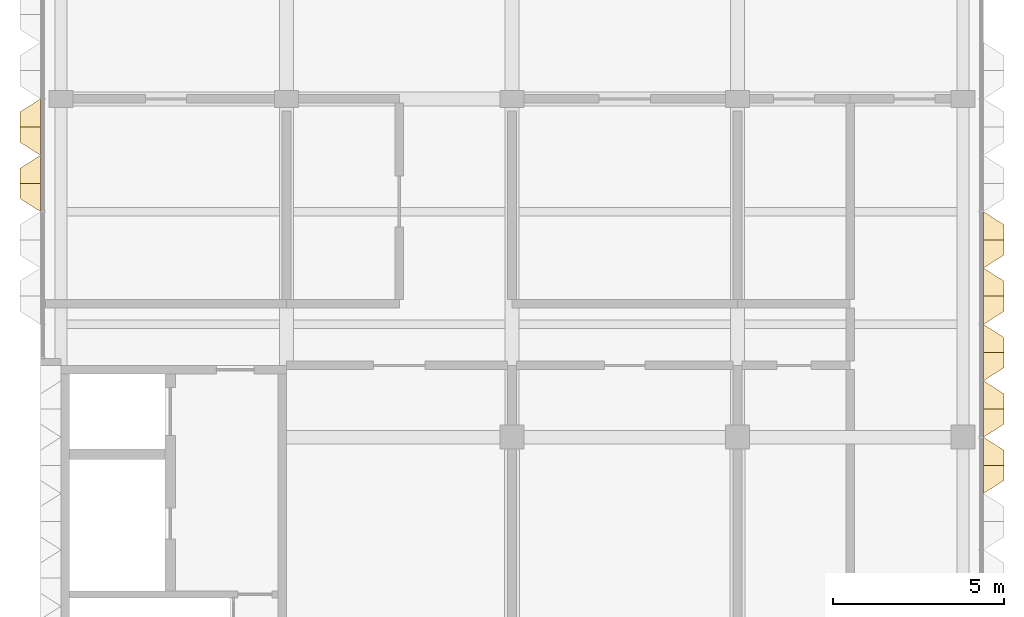
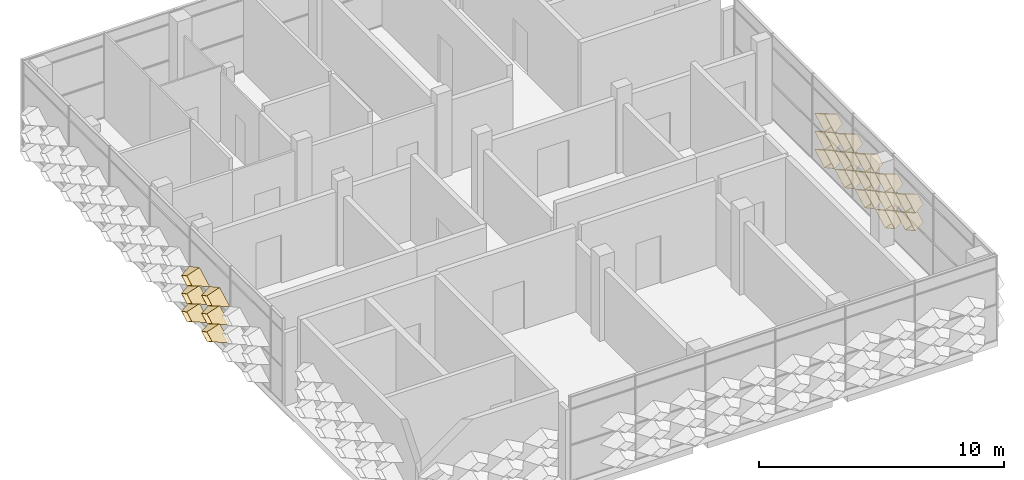
# One storey, part 15 of 21: 20 coverings.
"""IFC4 building model written with IfcOpenShell, lengths in metres."""

from ifc_helpers import new_model, entity, si_unit, direction, frame, origin, place, context, subcontext, project, spatial, material, layer, layer_set, type_object, element, save


model = new_model("IFC4")

# Units and contexts
model_context = context("Model", 3, precision=1e-05, world=origin(), true_north=direction((0.0, 1.0)))
body_context = subcontext(model_context, "Body", "Model", "MODEL_VIEW")
ifc_project = project(units=[si_unit("LENGTHUNIT", "METRE"), si_unit("AREAUNIT", "SQUARE_METRE"), si_unit("VOLUMEUNIT", "CUBIC_METRE"), si_unit("PLANEANGLEUNIT", "RADIAN"), si_unit("MASSUNIT", "GRAM", prefix="KILO")], contexts=[model_context])

# Site, building, storey
site_placement = place(None, origin())
site = spatial("IfcSite", under=ifc_project, at=site_placement, CompositionType="ELEMENT")
building_placement = place(site_placement, origin())
building = spatial("IfcBuilding", under=site, at=building_placement, Name="Lantern Court Research Institute", CompositionType="ELEMENT")
storey_placement = place(building_placement, frame((0.0, 0.0, 41.39990234375)))
storey = spatial("IfcBuildingStorey", under=building, at=storey_placement, Name="L09", CompositionType="ELEMENT", Elevation=41.39990234375)

# Coverings
ifc_material = material(Name="Anodised aluminium", Category="aluminium")
ifc_layer = layer(ifc_material, 0.01611328125)
ifc_layer_set = layer_set([ifc_layer], Name="Anodised aluminium")
covering_type = type_object("IfcCoveringType", Name="Fin cassette 1650 x 900 x 600 aluminium", PredefinedType="CLADDING", material=ifc_layer_set)
covering_1_placement = place(storey_placement, frame((79.800048828125, 0.824951171875, 0.4501953125), z_axis=(1.0, 0.0, 0.0), x_axis=(0.0, 1.0, 0.0)))
cartesian_point_1 = entity("IfcCartesianPoint", [0.824951171875, 0.0])
cartesian_point_2 = entity("IfcCartesianPoint", [0.79150390625, 0.0])
cartesian_point_3 = entity("IfcCartesianPoint", [0.44189453125, 0.0])
cartesian_point_4 = entity("IfcCartesianPoint", [0.43359375, 0.0])
element("IfcCovering", 1, at=covering_1_placement, inside=storey, type_object=covering_type, Name="Fin cassette V5E-L09 1.1", PredefinedType="CLADDING", context=body_context, shape_type="SweptSolid", body=[
    entity("IfcExtrudedAreaSolidTapered", entity("IfcArbitraryProfileDefWithVoids", "AREA", None, entity("IfcPolyline", [cartesian_point_1, entity("IfcCartesianPoint", [0.0, 0.449951171875]), entity("IfcCartesianPoint", [-0.824951171875, 0.0]), entity("IfcCartesianPoint", [0.0, -0.449951171875]), cartesian_point_1]), [entity("IfcPolyline", [cartesian_point_2, entity("IfcCartesianPoint", [0.0, 0.431884765625]), entity("IfcCartesianPoint", [-0.79150390625, 0.0]), entity("IfcCartesianPoint", [0.0, -0.431884765625]), cartesian_point_2])]), entity("IfcAxis2Placement3D", entity("IfcCartesianPoint", [0.0, 0.0, 0.0])), entity("IfcDirection", [0.0, 0.0, 1.0]), 0.60009765625, entity("IfcArbitraryProfileDefWithVoids", "AREA", None, entity("IfcPolyline", [cartesian_point_3, entity("IfcCartesianPoint", [0.0, 0.240966796875]), entity("IfcCartesianPoint", [-0.44189453125, 0.0]), entity("IfcCartesianPoint", [0.0, -0.240966796875]), cartesian_point_3]), [entity("IfcPolyline", [cartesian_point_4, entity("IfcCartesianPoint", [0.0, 0.236572265625]), entity("IfcCartesianPoint", [-0.43359375, 0.0]), entity("IfcCartesianPoint", [0.0, -0.236572265625]), cartesian_point_4])])),
])
covering_2_placement = place(storey_placement, frame((79.800048828125, 2.47509765625, 0.4501953125), z_axis=(1.0, 0.0, 0.0), x_axis=(0.0, 1.0, 0.0)))
cartesian_point_5 = entity("IfcCartesianPoint", [0.824951171875, 0.0])
cartesian_point_6 = entity("IfcCartesianPoint", [0.79150390625, 0.0])
cartesian_point_7 = entity("IfcCartesianPoint", [0.44189453125, 0.0])
cartesian_point_8 = entity("IfcCartesianPoint", [0.43359375, 0.0])
element("IfcCovering", 2, at=covering_2_placement, inside=storey, type_object=covering_type, Name="Fin cassette V5E-L09 1.2", PredefinedType="CLADDING", context=body_context, shape_type="SweptSolid", body=[
    entity("IfcExtrudedAreaSolidTapered", entity("IfcArbitraryProfileDefWithVoids", "AREA", None, entity("IfcPolyline", [cartesian_point_5, entity("IfcCartesianPoint", [0.0, 0.449951171875]), entity("IfcCartesianPoint", [-0.824951171875, 0.0]), entity("IfcCartesianPoint", [0.0, -0.449951171875]), cartesian_point_5]), [entity("IfcPolyline", [cartesian_point_6, entity("IfcCartesianPoint", [0.0, 0.431884765625]), entity("IfcCartesianPoint", [-0.79150390625, 0.0]), entity("IfcCartesianPoint", [0.0, -0.431884765625]), cartesian_point_6])]), entity("IfcAxis2Placement3D", entity("IfcCartesianPoint", [0.0, 0.0, 0.0])), entity("IfcDirection", [0.0, 0.0, 1.0]), 0.60009765625, entity("IfcArbitraryProfileDefWithVoids", "AREA", None, entity("IfcPolyline", [cartesian_point_7, entity("IfcCartesianPoint", [0.0, 0.240966796875]), entity("IfcCartesianPoint", [-0.44189453125, 0.0]), entity("IfcCartesianPoint", [0.0, -0.240966796875]), cartesian_point_7]), [entity("IfcPolyline", [cartesian_point_8, entity("IfcCartesianPoint", [0.0, 0.236572265625]), entity("IfcCartesianPoint", [-0.43359375, 0.0]), entity("IfcCartesianPoint", [0.0, -0.236572265625]), cartesian_point_8])])),
])
covering_3_placement = place(storey_placement, frame((79.800048828125, 4.125, 0.4501953125), z_axis=(1.0, 0.0, 0.0), x_axis=(0.0, 1.0, 0.0)))
cartesian_point_9 = entity("IfcCartesianPoint", [0.824951171875, 0.0])
cartesian_point_10 = entity("IfcCartesianPoint", [0.79150390625, 0.0])
cartesian_point_11 = entity("IfcCartesianPoint", [0.44189453125, 0.0])
cartesian_point_12 = entity("IfcCartesianPoint", [0.43359375, 0.0])
element("IfcCovering", 3, at=covering_3_placement, inside=storey, type_object=covering_type, Name="Fin cassette V5E-L09 1.3", PredefinedType="CLADDING", context=body_context, shape_type="SweptSolid", body=[
    entity("IfcExtrudedAreaSolidTapered", entity("IfcArbitraryProfileDefWithVoids", "AREA", None, entity("IfcPolyline", [cartesian_point_9, entity("IfcCartesianPoint", [0.0, 0.449951171875]), entity("IfcCartesianPoint", [-0.824951171875, 0.0]), entity("IfcCartesianPoint", [0.0, -0.449951171875]), cartesian_point_9]), [entity("IfcPolyline", [cartesian_point_10, entity("IfcCartesianPoint", [0.0, 0.431884765625]), entity("IfcCartesianPoint", [-0.79150390625, 0.0]), entity("IfcCartesianPoint", [0.0, -0.431884765625]), cartesian_point_10])]), entity("IfcAxis2Placement3D", entity("IfcCartesianPoint", [0.0, 0.0, 0.0])), entity("IfcDirection", [0.0, 0.0, 1.0]), 0.60009765625, entity("IfcArbitraryProfileDefWithVoids", "AREA", None, entity("IfcPolyline", [cartesian_point_11, entity("IfcCartesianPoint", [0.0, 0.240966796875]), entity("IfcCartesianPoint", [-0.44189453125, 0.0]), entity("IfcCartesianPoint", [0.0, -0.240966796875]), cartesian_point_11]), [entity("IfcPolyline", [cartesian_point_12, entity("IfcCartesianPoint", [0.0, 0.236572265625]), entity("IfcCartesianPoint", [-0.43359375, 0.0]), entity("IfcCartesianPoint", [0.0, -0.236572265625]), cartesian_point_12])])),
])
covering_4_placement = place(storey_placement, frame((79.800048828125, 5.77490234375, 0.4501953125), z_axis=(1.0, 0.0, 0.0), x_axis=(0.0, 1.0, 0.0)))
cartesian_point_13 = entity("IfcCartesianPoint", [0.824951171875, 0.0])
cartesian_point_14 = entity("IfcCartesianPoint", [0.79150390625, 0.0])
cartesian_point_15 = entity("IfcCartesianPoint", [0.44189453125, 0.0])
cartesian_point_16 = entity("IfcCartesianPoint", [0.43359375, 0.0])
element("IfcCovering", 4, at=covering_4_placement, inside=storey, type_object=covering_type, Name="Fin cassette V5E-L09 1.4", PredefinedType="CLADDING", context=body_context, shape_type="SweptSolid", body=[
    entity("IfcExtrudedAreaSolidTapered", entity("IfcArbitraryProfileDefWithVoids", "AREA", None, entity("IfcPolyline", [cartesian_point_13, entity("IfcCartesianPoint", [0.0, 0.449951171875]), entity("IfcCartesianPoint", [-0.824951171875, 0.0]), entity("IfcCartesianPoint", [0.0, -0.449951171875]), cartesian_point_13]), [entity("IfcPolyline", [cartesian_point_14, entity("IfcCartesianPoint", [0.0, 0.431884765625]), entity("IfcCartesianPoint", [-0.79150390625, 0.0]), entity("IfcCartesianPoint", [0.0, -0.431884765625]), cartesian_point_14])]), entity("IfcAxis2Placement3D", entity("IfcCartesianPoint", [0.0, 0.0, 0.0])), entity("IfcDirection", [0.0, 0.0, 1.0]), 0.60009765625, entity("IfcArbitraryProfileDefWithVoids", "AREA", None, entity("IfcPolyline", [cartesian_point_15, entity("IfcCartesianPoint", [0.0, 0.240966796875]), entity("IfcCartesianPoint", [-0.44189453125, 0.0]), entity("IfcCartesianPoint", [0.0, -0.240966796875]), cartesian_point_15]), [entity("IfcPolyline", [cartesian_point_16, entity("IfcCartesianPoint", [0.0, 0.236572265625]), entity("IfcCartesianPoint", [-0.43359375, 0.0]), entity("IfcCartesianPoint", [0.0, -0.236572265625]), cartesian_point_16])])),
])
covering_5_placement = place(storey_placement, frame((79.800048828125, -0.824951171875, 1.35009765625), z_axis=(1.0, 0.0, 0.0), x_axis=(0.0, 1.0, 0.0)))
cartesian_point_17 = entity("IfcCartesianPoint", [0.824951171875, 0.0])
cartesian_point_18 = entity("IfcCartesianPoint", [0.79150390625, 0.0])
cartesian_point_19 = entity("IfcCartesianPoint", [0.44189453125, 0.0])
cartesian_point_20 = entity("IfcCartesianPoint", [0.43359375, 0.0])
element("IfcCovering", 5, at=covering_5_placement, inside=storey, type_object=covering_type, Name="Fin cassette V5E-L09 2.0", PredefinedType="CLADDING", context=body_context, shape_type="SweptSolid", body=[
    entity("IfcExtrudedAreaSolidTapered", entity("IfcArbitraryProfileDefWithVoids", "AREA", None, entity("IfcPolyline", [cartesian_point_17, entity("IfcCartesianPoint", [0.0, 0.449951171875]), entity("IfcCartesianPoint", [-0.824951171875, 0.0]), entity("IfcCartesianPoint", [0.0, -0.449951171875]), cartesian_point_17]), [entity("IfcPolyline", [cartesian_point_18, entity("IfcCartesianPoint", [0.0, 0.431884765625]), entity("IfcCartesianPoint", [-0.79150390625, 0.0]), entity("IfcCartesianPoint", [0.0, -0.431884765625]), cartesian_point_18])]), entity("IfcAxis2Placement3D", entity("IfcCartesianPoint", [0.0, 0.0, 0.0])), entity("IfcDirection", [0.0, 0.0, 1.0]), 0.60009765625, entity("IfcArbitraryProfileDefWithVoids", "AREA", None, entity("IfcPolyline", [cartesian_point_19, entity("IfcCartesianPoint", [0.0, 0.240966796875]), entity("IfcCartesianPoint", [-0.44189453125, 0.0]), entity("IfcCartesianPoint", [0.0, -0.240966796875]), cartesian_point_19]), [entity("IfcPolyline", [cartesian_point_20, entity("IfcCartesianPoint", [0.0, 0.236572265625]), entity("IfcCartesianPoint", [-0.43359375, 0.0]), entity("IfcCartesianPoint", [0.0, -0.236572265625]), cartesian_point_20])])),
])
covering_6_placement = place(storey_placement, frame((79.800048828125, 0.824951171875, 1.35009765625), z_axis=(1.0, 0.0, 0.0), x_axis=(0.0, 1.0, 0.0)))
cartesian_point_21 = entity("IfcCartesianPoint", [0.824951171875, 0.0])
cartesian_point_22 = entity("IfcCartesianPoint", [0.79150390625, 0.0])
cartesian_point_23 = entity("IfcCartesianPoint", [0.44189453125, 0.0])
cartesian_point_24 = entity("IfcCartesianPoint", [0.43359375, 0.0])
element("IfcCovering", 6, at=covering_6_placement, inside=storey, type_object=covering_type, Name="Fin cassette V5E-L09 2.1", PredefinedType="CLADDING", context=body_context, shape_type="SweptSolid", body=[
    entity("IfcExtrudedAreaSolidTapered", entity("IfcArbitraryProfileDefWithVoids", "AREA", None, entity("IfcPolyline", [cartesian_point_21, entity("IfcCartesianPoint", [0.0, 0.449951171875]), entity("IfcCartesianPoint", [-0.824951171875, 0.0]), entity("IfcCartesianPoint", [0.0, -0.449951171875]), cartesian_point_21]), [entity("IfcPolyline", [cartesian_point_22, entity("IfcCartesianPoint", [0.0, 0.431884765625]), entity("IfcCartesianPoint", [-0.79150390625, 0.0]), entity("IfcCartesianPoint", [0.0, -0.431884765625]), cartesian_point_22])]), entity("IfcAxis2Placement3D", entity("IfcCartesianPoint", [0.0, 0.0, 0.0])), entity("IfcDirection", [0.0, 0.0, 1.0]), 0.60009765625, entity("IfcArbitraryProfileDefWithVoids", "AREA", None, entity("IfcPolyline", [cartesian_point_23, entity("IfcCartesianPoint", [0.0, 0.240966796875]), entity("IfcCartesianPoint", [-0.44189453125, 0.0]), entity("IfcCartesianPoint", [0.0, -0.240966796875]), cartesian_point_23]), [entity("IfcPolyline", [cartesian_point_24, entity("IfcCartesianPoint", [0.0, 0.236572265625]), entity("IfcCartesianPoint", [-0.43359375, 0.0]), entity("IfcCartesianPoint", [0.0, -0.236572265625]), cartesian_point_24])])),
])
covering_7_placement = place(storey_placement, frame((79.800048828125, 2.47509765625, 1.35009765625), z_axis=(1.0, 0.0, 0.0), x_axis=(0.0, 1.0, 0.0)))
cartesian_point_25 = entity("IfcCartesianPoint", [0.824951171875, 0.0])
cartesian_point_26 = entity("IfcCartesianPoint", [0.79150390625, 0.0])
cartesian_point_27 = entity("IfcCartesianPoint", [0.44189453125, 0.0])
cartesian_point_28 = entity("IfcCartesianPoint", [0.43359375, 0.0])
element("IfcCovering", 7, at=covering_7_placement, inside=storey, type_object=covering_type, Name="Fin cassette V5E-L09 2.2", PredefinedType="CLADDING", context=body_context, shape_type="SweptSolid", body=[
    entity("IfcExtrudedAreaSolidTapered", entity("IfcArbitraryProfileDefWithVoids", "AREA", None, entity("IfcPolyline", [cartesian_point_25, entity("IfcCartesianPoint", [0.0, 0.449951171875]), entity("IfcCartesianPoint", [-0.824951171875, 0.0]), entity("IfcCartesianPoint", [0.0, -0.449951171875]), cartesian_point_25]), [entity("IfcPolyline", [cartesian_point_26, entity("IfcCartesianPoint", [0.0, 0.431884765625]), entity("IfcCartesianPoint", [-0.79150390625, 0.0]), entity("IfcCartesianPoint", [0.0, -0.431884765625]), cartesian_point_26])]), entity("IfcAxis2Placement3D", entity("IfcCartesianPoint", [0.0, 0.0, 0.0])), entity("IfcDirection", [0.0, 0.0, 1.0]), 0.60009765625, entity("IfcArbitraryProfileDefWithVoids", "AREA", None, entity("IfcPolyline", [cartesian_point_27, entity("IfcCartesianPoint", [0.0, 0.240966796875]), entity("IfcCartesianPoint", [-0.44189453125, 0.0]), entity("IfcCartesianPoint", [0.0, -0.240966796875]), cartesian_point_27]), [entity("IfcPolyline", [cartesian_point_28, entity("IfcCartesianPoint", [0.0, 0.236572265625]), entity("IfcCartesianPoint", [-0.43359375, 0.0]), entity("IfcCartesianPoint", [0.0, -0.236572265625]), cartesian_point_28])])),
])
covering_8_placement = place(storey_placement, frame((79.800048828125, 4.125, 1.35009765625), z_axis=(1.0, 0.0, 0.0), x_axis=(0.0, 1.0, 0.0)))
cartesian_point_29 = entity("IfcCartesianPoint", [0.824951171875, 0.0])
cartesian_point_30 = entity("IfcCartesianPoint", [0.79150390625, 0.0])
cartesian_point_31 = entity("IfcCartesianPoint", [0.44189453125, 0.0])
cartesian_point_32 = entity("IfcCartesianPoint", [0.43359375, 0.0])
element("IfcCovering", 8, at=covering_8_placement, inside=storey, type_object=covering_type, Name="Fin cassette V5E-L09 2.3", PredefinedType="CLADDING", context=body_context, shape_type="SweptSolid", body=[
    entity("IfcExtrudedAreaSolidTapered", entity("IfcArbitraryProfileDefWithVoids", "AREA", None, entity("IfcPolyline", [cartesian_point_29, entity("IfcCartesianPoint", [0.0, 0.449951171875]), entity("IfcCartesianPoint", [-0.824951171875, 0.0]), entity("IfcCartesianPoint", [0.0, -0.449951171875]), cartesian_point_29]), [entity("IfcPolyline", [cartesian_point_30, entity("IfcCartesianPoint", [0.0, 0.431884765625]), entity("IfcCartesianPoint", [-0.79150390625, 0.0]), entity("IfcCartesianPoint", [0.0, -0.431884765625]), cartesian_point_30])]), entity("IfcAxis2Placement3D", entity("IfcCartesianPoint", [0.0, 0.0, 0.0])), entity("IfcDirection", [0.0, 0.0, 1.0]), 0.60009765625, entity("IfcArbitraryProfileDefWithVoids", "AREA", None, entity("IfcPolyline", [cartesian_point_31, entity("IfcCartesianPoint", [0.0, 0.240966796875]), entity("IfcCartesianPoint", [-0.44189453125, 0.0]), entity("IfcCartesianPoint", [0.0, -0.240966796875]), cartesian_point_31]), [entity("IfcPolyline", [cartesian_point_32, entity("IfcCartesianPoint", [0.0, 0.236572265625]), entity("IfcCartesianPoint", [-0.43359375, 0.0]), entity("IfcCartesianPoint", [0.0, -0.236572265625]), cartesian_point_32])])),
])
covering_9_placement = place(storey_placement, frame((79.800048828125, 5.77490234375, 1.35009765625), z_axis=(1.0, 0.0, 0.0), x_axis=(0.0, 1.0, 0.0)))
cartesian_point_33 = entity("IfcCartesianPoint", [0.824951171875, 0.0])
cartesian_point_34 = entity("IfcCartesianPoint", [0.79150390625, 0.0])
cartesian_point_35 = entity("IfcCartesianPoint", [0.44189453125, 0.0])
cartesian_point_36 = entity("IfcCartesianPoint", [0.43359375, 0.0])
element("IfcCovering", 9, at=covering_9_placement, inside=storey, type_object=covering_type, Name="Fin cassette V5E-L09 2.4", PredefinedType="CLADDING", context=body_context, shape_type="SweptSolid", body=[
    entity("IfcExtrudedAreaSolidTapered", entity("IfcArbitraryProfileDefWithVoids", "AREA", None, entity("IfcPolyline", [cartesian_point_33, entity("IfcCartesianPoint", [0.0, 0.449951171875]), entity("IfcCartesianPoint", [-0.824951171875, 0.0]), entity("IfcCartesianPoint", [0.0, -0.449951171875]), cartesian_point_33]), [entity("IfcPolyline", [cartesian_point_34, entity("IfcCartesianPoint", [0.0, 0.431884765625]), entity("IfcCartesianPoint", [-0.79150390625, 0.0]), entity("IfcCartesianPoint", [0.0, -0.431884765625]), cartesian_point_34])]), entity("IfcAxis2Placement3D", entity("IfcCartesianPoint", [0.0, 0.0, 0.0])), entity("IfcDirection", [0.0, 0.0, 1.0]), 0.60009765625, entity("IfcArbitraryProfileDefWithVoids", "AREA", None, entity("IfcPolyline", [cartesian_point_35, entity("IfcCartesianPoint", [0.0, 0.240966796875]), entity("IfcCartesianPoint", [-0.44189453125, 0.0]), entity("IfcCartesianPoint", [0.0, -0.240966796875]), cartesian_point_35]), [entity("IfcPolyline", [cartesian_point_36, entity("IfcCartesianPoint", [0.0, 0.236572265625]), entity("IfcCartesianPoint", [-0.43359375, 0.0]), entity("IfcCartesianPoint", [0.0, -0.236572265625]), cartesian_point_36])])),
])
covering_10_placement = place(storey_placement, frame((79.800048828125, -0.824951171875, 2.25), z_axis=(1.0, 0.0, 0.0), x_axis=(0.0, 1.0, 0.0)))
cartesian_point_37 = entity("IfcCartesianPoint", [0.824951171875, 0.0])
cartesian_point_38 = entity("IfcCartesianPoint", [0.79150390625, 0.0])
cartesian_point_39 = entity("IfcCartesianPoint", [0.44189453125, 0.0])
cartesian_point_40 = entity("IfcCartesianPoint", [0.43359375, 0.0])
element("IfcCovering", 10, at=covering_10_placement, inside=storey, type_object=covering_type, Name="Fin cassette V5E-L09 3.0", PredefinedType="CLADDING", context=body_context, shape_type="SweptSolid", body=[
    entity("IfcExtrudedAreaSolidTapered", entity("IfcArbitraryProfileDefWithVoids", "AREA", None, entity("IfcPolyline", [cartesian_point_37, entity("IfcCartesianPoint", [0.0, 0.449951171875]), entity("IfcCartesianPoint", [-0.824951171875, 0.0]), entity("IfcCartesianPoint", [0.0, -0.449951171875]), cartesian_point_37]), [entity("IfcPolyline", [cartesian_point_38, entity("IfcCartesianPoint", [0.0, 0.431884765625]), entity("IfcCartesianPoint", [-0.79150390625, 0.0]), entity("IfcCartesianPoint", [0.0, -0.431884765625]), cartesian_point_38])]), entity("IfcAxis2Placement3D", entity("IfcCartesianPoint", [0.0, 0.0, 0.0])), entity("IfcDirection", [0.0, 0.0, 1.0]), 0.60009765625, entity("IfcArbitraryProfileDefWithVoids", "AREA", None, entity("IfcPolyline", [cartesian_point_39, entity("IfcCartesianPoint", [0.0, 0.240966796875]), entity("IfcCartesianPoint", [-0.44189453125, 0.0]), entity("IfcCartesianPoint", [0.0, -0.240966796875]), cartesian_point_39]), [entity("IfcPolyline", [cartesian_point_40, entity("IfcCartesianPoint", [0.0, 0.236572265625]), entity("IfcCartesianPoint", [-0.43359375, 0.0]), entity("IfcCartesianPoint", [0.0, -0.236572265625]), cartesian_point_40])])),
])
covering_11_placement = place(storey_placement, frame((79.800048828125, 0.824951171875, 2.25), z_axis=(1.0, 0.0, 0.0), x_axis=(0.0, 1.0, 0.0)))
cartesian_point_41 = entity("IfcCartesianPoint", [0.824951171875, 0.0])
cartesian_point_42 = entity("IfcCartesianPoint", [0.79150390625, 0.0])
cartesian_point_43 = entity("IfcCartesianPoint", [0.44189453125, 0.0])
cartesian_point_44 = entity("IfcCartesianPoint", [0.43359375, 0.0])
element("IfcCovering", 11, at=covering_11_placement, inside=storey, type_object=covering_type, Name="Fin cassette V5E-L09 3.1", PredefinedType="CLADDING", context=body_context, shape_type="SweptSolid", body=[
    entity("IfcExtrudedAreaSolidTapered", entity("IfcArbitraryProfileDefWithVoids", "AREA", None, entity("IfcPolyline", [cartesian_point_41, entity("IfcCartesianPoint", [0.0, 0.449951171875]), entity("IfcCartesianPoint", [-0.824951171875, 0.0]), entity("IfcCartesianPoint", [0.0, -0.449951171875]), cartesian_point_41]), [entity("IfcPolyline", [cartesian_point_42, entity("IfcCartesianPoint", [0.0, 0.431884765625]), entity("IfcCartesianPoint", [-0.79150390625, 0.0]), entity("IfcCartesianPoint", [0.0, -0.431884765625]), cartesian_point_42])]), entity("IfcAxis2Placement3D", entity("IfcCartesianPoint", [0.0, 0.0, 0.0])), entity("IfcDirection", [0.0, 0.0, 1.0]), 0.60009765625, entity("IfcArbitraryProfileDefWithVoids", "AREA", None, entity("IfcPolyline", [cartesian_point_43, entity("IfcCartesianPoint", [0.0, 0.240966796875]), entity("IfcCartesianPoint", [-0.44189453125, 0.0]), entity("IfcCartesianPoint", [0.0, -0.240966796875]), cartesian_point_43]), [entity("IfcPolyline", [cartesian_point_44, entity("IfcCartesianPoint", [0.0, 0.236572265625]), entity("IfcCartesianPoint", [-0.43359375, 0.0]), entity("IfcCartesianPoint", [0.0, -0.236572265625]), cartesian_point_44])])),
])
covering_12_placement = place(storey_placement, frame((79.800048828125, 2.47509765625, 2.25), z_axis=(1.0, 0.0, 0.0), x_axis=(0.0, 1.0, 0.0)))
cartesian_point_45 = entity("IfcCartesianPoint", [0.824951171875, 0.0])
cartesian_point_46 = entity("IfcCartesianPoint", [0.79150390625, 0.0])
cartesian_point_47 = entity("IfcCartesianPoint", [0.44189453125, 0.0])
cartesian_point_48 = entity("IfcCartesianPoint", [0.43359375, 0.0])
element("IfcCovering", 12, at=covering_12_placement, inside=storey, type_object=covering_type, Name="Fin cassette V5E-L09 3.2", PredefinedType="CLADDING", context=body_context, shape_type="SweptSolid", body=[
    entity("IfcExtrudedAreaSolidTapered", entity("IfcArbitraryProfileDefWithVoids", "AREA", None, entity("IfcPolyline", [cartesian_point_45, entity("IfcCartesianPoint", [0.0, 0.449951171875]), entity("IfcCartesianPoint", [-0.824951171875, 0.0]), entity("IfcCartesianPoint", [0.0, -0.449951171875]), cartesian_point_45]), [entity("IfcPolyline", [cartesian_point_46, entity("IfcCartesianPoint", [0.0, 0.431884765625]), entity("IfcCartesianPoint", [-0.79150390625, 0.0]), entity("IfcCartesianPoint", [0.0, -0.431884765625]), cartesian_point_46])]), entity("IfcAxis2Placement3D", entity("IfcCartesianPoint", [0.0, 0.0, 0.0])), entity("IfcDirection", [0.0, 0.0, 1.0]), 0.60009765625, entity("IfcArbitraryProfileDefWithVoids", "AREA", None, entity("IfcPolyline", [cartesian_point_47, entity("IfcCartesianPoint", [0.0, 0.240966796875]), entity("IfcCartesianPoint", [-0.44189453125, 0.0]), entity("IfcCartesianPoint", [0.0, -0.240966796875]), cartesian_point_47]), [entity("IfcPolyline", [cartesian_point_48, entity("IfcCartesianPoint", [0.0, 0.236572265625]), entity("IfcCartesianPoint", [-0.43359375, 0.0]), entity("IfcCartesianPoint", [0.0, -0.236572265625]), cartesian_point_48])])),
])
covering_13_placement = place(storey_placement, frame((79.800048828125, 4.125, 2.25), z_axis=(1.0, 0.0, 0.0), x_axis=(0.0, 1.0, 0.0)))
cartesian_point_49 = entity("IfcCartesianPoint", [0.824951171875, 0.0])
cartesian_point_50 = entity("IfcCartesianPoint", [0.79150390625, 0.0])
cartesian_point_51 = entity("IfcCartesianPoint", [0.44189453125, 0.0])
cartesian_point_52 = entity("IfcCartesianPoint", [0.43359375, 0.0])
element("IfcCovering", 13, at=covering_13_placement, inside=storey, type_object=covering_type, Name="Fin cassette V5E-L09 3.3", PredefinedType="CLADDING", context=body_context, shape_type="SweptSolid", body=[
    entity("IfcExtrudedAreaSolidTapered", entity("IfcArbitraryProfileDefWithVoids", "AREA", None, entity("IfcPolyline", [cartesian_point_49, entity("IfcCartesianPoint", [0.0, 0.449951171875]), entity("IfcCartesianPoint", [-0.824951171875, 0.0]), entity("IfcCartesianPoint", [0.0, -0.449951171875]), cartesian_point_49]), [entity("IfcPolyline", [cartesian_point_50, entity("IfcCartesianPoint", [0.0, 0.431884765625]), entity("IfcCartesianPoint", [-0.79150390625, 0.0]), entity("IfcCartesianPoint", [0.0, -0.431884765625]), cartesian_point_50])]), entity("IfcAxis2Placement3D", entity("IfcCartesianPoint", [0.0, 0.0, 0.0])), entity("IfcDirection", [0.0, 0.0, 1.0]), 0.60009765625, entity("IfcArbitraryProfileDefWithVoids", "AREA", None, entity("IfcPolyline", [cartesian_point_51, entity("IfcCartesianPoint", [0.0, 0.240966796875]), entity("IfcCartesianPoint", [-0.44189453125, 0.0]), entity("IfcCartesianPoint", [0.0, -0.240966796875]), cartesian_point_51]), [entity("IfcPolyline", [cartesian_point_52, entity("IfcCartesianPoint", [0.0, 0.236572265625]), entity("IfcCartesianPoint", [-0.43359375, 0.0]), entity("IfcCartesianPoint", [0.0, -0.236572265625]), cartesian_point_52])])),
])
covering_14_placement = place(storey_placement, frame((79.800048828125, 5.77490234375, 2.25), z_axis=(1.0, 0.0, 0.0), x_axis=(0.0, 1.0, 0.0)))
cartesian_point_53 = entity("IfcCartesianPoint", [0.824951171875, 0.0])
cartesian_point_54 = entity("IfcCartesianPoint", [0.79150390625, 0.0])
cartesian_point_55 = entity("IfcCartesianPoint", [0.44189453125, 0.0])
cartesian_point_56 = entity("IfcCartesianPoint", [0.43359375, 0.0])
element("IfcCovering", 14, at=covering_14_placement, inside=storey, type_object=covering_type, Name="Fin cassette V5E-L09 3.4", PredefinedType="CLADDING", context=body_context, shape_type="SweptSolid", body=[
    entity("IfcExtrudedAreaSolidTapered", entity("IfcArbitraryProfileDefWithVoids", "AREA", None, entity("IfcPolyline", [cartesian_point_53, entity("IfcCartesianPoint", [0.0, 0.449951171875]), entity("IfcCartesianPoint", [-0.824951171875, 0.0]), entity("IfcCartesianPoint", [0.0, -0.449951171875]), cartesian_point_53]), [entity("IfcPolyline", [cartesian_point_54, entity("IfcCartesianPoint", [0.0, 0.431884765625]), entity("IfcCartesianPoint", [-0.79150390625, 0.0]), entity("IfcCartesianPoint", [0.0, -0.431884765625]), cartesian_point_54])]), entity("IfcAxis2Placement3D", entity("IfcCartesianPoint", [0.0, 0.0, 0.0])), entity("IfcDirection", [0.0, 0.0, 1.0]), 0.60009765625, entity("IfcArbitraryProfileDefWithVoids", "AREA", None, entity("IfcPolyline", [cartesian_point_55, entity("IfcCartesianPoint", [0.0, 0.240966796875]), entity("IfcCartesianPoint", [-0.44189453125, 0.0]), entity("IfcCartesianPoint", [0.0, -0.240966796875]), cartesian_point_55]), [entity("IfcPolyline", [cartesian_point_56, entity("IfcCartesianPoint", [0.0, 0.236572265625]), entity("IfcCartesianPoint", [-0.43359375, 0.0]), entity("IfcCartesianPoint", [0.0, -0.236572265625]), cartesian_point_56])])),
])
covering_15_placement = place(storey_placement, frame((52.199951171875, 7.425048828125, 0.4501953125), z_axis=(-1.0, 0.0, 0.0), x_axis=(0.0, -1.0, 0.0)))
cartesian_point_57 = entity("IfcCartesianPoint", [0.824951171875, 0.0])
cartesian_point_58 = entity("IfcCartesianPoint", [0.79150390625, 0.0])
cartesian_point_59 = entity("IfcCartesianPoint", [0.44189453125, 0.0])
cartesian_point_60 = entity("IfcCartesianPoint", [0.43359375, 0.0])
element("IfcCovering", 15, at=covering_15_placement, inside=storey, type_object=covering_type, Name="Fin cassette V5W-L09 1.5", PredefinedType="CLADDING", context=body_context, shape_type="SweptSolid", body=[
    entity("IfcExtrudedAreaSolidTapered", entity("IfcArbitraryProfileDefWithVoids", "AREA", None, entity("IfcPolyline", [cartesian_point_57, entity("IfcCartesianPoint", [0.0, 0.449951171875]), entity("IfcCartesianPoint", [-0.824951171875, 0.0]), entity("IfcCartesianPoint", [0.0, -0.449951171875]), cartesian_point_57]), [entity("IfcPolyline", [cartesian_point_58, entity("IfcCartesianPoint", [0.0, 0.431884765625]), entity("IfcCartesianPoint", [-0.79150390625, 0.0]), entity("IfcCartesianPoint", [0.0, -0.431884765625]), cartesian_point_58])]), entity("IfcAxis2Placement3D", entity("IfcCartesianPoint", [0.0, 0.0, 0.0])), entity("IfcDirection", [0.0, 0.0, 1.0]), 0.60009765625, entity("IfcArbitraryProfileDefWithVoids", "AREA", None, entity("IfcPolyline", [cartesian_point_59, entity("IfcCartesianPoint", [0.0, 0.240966796875]), entity("IfcCartesianPoint", [-0.44189453125, 0.0]), entity("IfcCartesianPoint", [0.0, -0.240966796875]), cartesian_point_59]), [entity("IfcPolyline", [cartesian_point_60, entity("IfcCartesianPoint", [0.0, 0.236572265625]), entity("IfcCartesianPoint", [-0.43359375, 0.0]), entity("IfcCartesianPoint", [0.0, -0.236572265625]), cartesian_point_60])])),
])
covering_16_placement = place(storey_placement, frame((52.199951171875, 9.074951171875, 0.4501953125), z_axis=(-1.0, 0.0, 0.0), x_axis=(0.0, -1.0, 0.0)))
cartesian_point_61 = entity("IfcCartesianPoint", [0.824951171875, 0.0])
cartesian_point_62 = entity("IfcCartesianPoint", [0.79150390625, 0.0])
cartesian_point_63 = entity("IfcCartesianPoint", [0.44189453125, 0.0])
cartesian_point_64 = entity("IfcCartesianPoint", [0.43359375, 0.0])
element("IfcCovering", 16, at=covering_16_placement, inside=storey, type_object=covering_type, Name="Fin cassette V5W-L09 1.6", PredefinedType="CLADDING", context=body_context, shape_type="SweptSolid", body=[
    entity("IfcExtrudedAreaSolidTapered", entity("IfcArbitraryProfileDefWithVoids", "AREA", None, entity("IfcPolyline", [cartesian_point_61, entity("IfcCartesianPoint", [0.0, 0.449951171875]), entity("IfcCartesianPoint", [-0.824951171875, 0.0]), entity("IfcCartesianPoint", [0.0, -0.449951171875]), cartesian_point_61]), [entity("IfcPolyline", [cartesian_point_62, entity("IfcCartesianPoint", [0.0, 0.431884765625]), entity("IfcCartesianPoint", [-0.79150390625, 0.0]), entity("IfcCartesianPoint", [0.0, -0.431884765625]), cartesian_point_62])]), entity("IfcAxis2Placement3D", entity("IfcCartesianPoint", [0.0, 0.0, 0.0])), entity("IfcDirection", [0.0, 0.0, 1.0]), 0.60009765625, entity("IfcArbitraryProfileDefWithVoids", "AREA", None, entity("IfcPolyline", [cartesian_point_63, entity("IfcCartesianPoint", [0.0, 0.240966796875]), entity("IfcCartesianPoint", [-0.44189453125, 0.0]), entity("IfcCartesianPoint", [0.0, -0.240966796875]), cartesian_point_63]), [entity("IfcPolyline", [cartesian_point_64, entity("IfcCartesianPoint", [0.0, 0.236572265625]), entity("IfcCartesianPoint", [-0.43359375, 0.0]), entity("IfcCartesianPoint", [0.0, -0.236572265625]), cartesian_point_64])])),
])
covering_17_placement = place(storey_placement, frame((52.199951171875, 7.425048828125, 1.35009765625), z_axis=(-1.0, 0.0, 0.0), x_axis=(0.0, -1.0, 0.0)))
cartesian_point_65 = entity("IfcCartesianPoint", [0.824951171875, 0.0])
cartesian_point_66 = entity("IfcCartesianPoint", [0.79150390625, 0.0])
cartesian_point_67 = entity("IfcCartesianPoint", [0.44189453125, 0.0])
cartesian_point_68 = entity("IfcCartesianPoint", [0.43359375, 0.0])
element("IfcCovering", 17, at=covering_17_placement, inside=storey, type_object=covering_type, Name="Fin cassette V5W-L09 2.5", PredefinedType="CLADDING", context=body_context, shape_type="SweptSolid", body=[
    entity("IfcExtrudedAreaSolidTapered", entity("IfcArbitraryProfileDefWithVoids", "AREA", None, entity("IfcPolyline", [cartesian_point_65, entity("IfcCartesianPoint", [0.0, 0.449951171875]), entity("IfcCartesianPoint", [-0.824951171875, 0.0]), entity("IfcCartesianPoint", [0.0, -0.449951171875]), cartesian_point_65]), [entity("IfcPolyline", [cartesian_point_66, entity("IfcCartesianPoint", [0.0, 0.431884765625]), entity("IfcCartesianPoint", [-0.79150390625, 0.0]), entity("IfcCartesianPoint", [0.0, -0.431884765625]), cartesian_point_66])]), entity("IfcAxis2Placement3D", entity("IfcCartesianPoint", [0.0, 0.0, 0.0])), entity("IfcDirection", [0.0, 0.0, 1.0]), 0.60009765625, entity("IfcArbitraryProfileDefWithVoids", "AREA", None, entity("IfcPolyline", [cartesian_point_67, entity("IfcCartesianPoint", [0.0, 0.240966796875]), entity("IfcCartesianPoint", [-0.44189453125, 0.0]), entity("IfcCartesianPoint", [0.0, -0.240966796875]), cartesian_point_67]), [entity("IfcPolyline", [cartesian_point_68, entity("IfcCartesianPoint", [0.0, 0.236572265625]), entity("IfcCartesianPoint", [-0.43359375, 0.0]), entity("IfcCartesianPoint", [0.0, -0.236572265625]), cartesian_point_68])])),
])
covering_18_placement = place(storey_placement, frame((52.199951171875, 9.074951171875, 1.35009765625), z_axis=(-1.0, 0.0, 0.0), x_axis=(0.0, -1.0, 0.0)))
cartesian_point_69 = entity("IfcCartesianPoint", [0.824951171875, 0.0])
cartesian_point_70 = entity("IfcCartesianPoint", [0.79150390625, 0.0])
cartesian_point_71 = entity("IfcCartesianPoint", [0.44189453125, 0.0])
cartesian_point_72 = entity("IfcCartesianPoint", [0.43359375, 0.0])
element("IfcCovering", 18, at=covering_18_placement, inside=storey, type_object=covering_type, Name="Fin cassette V5W-L09 2.6", PredefinedType="CLADDING", context=body_context, shape_type="SweptSolid", body=[
    entity("IfcExtrudedAreaSolidTapered", entity("IfcArbitraryProfileDefWithVoids", "AREA", None, entity("IfcPolyline", [cartesian_point_69, entity("IfcCartesianPoint", [0.0, 0.449951171875]), entity("IfcCartesianPoint", [-0.824951171875, 0.0]), entity("IfcCartesianPoint", [0.0, -0.449951171875]), cartesian_point_69]), [entity("IfcPolyline", [cartesian_point_70, entity("IfcCartesianPoint", [0.0, 0.431884765625]), entity("IfcCartesianPoint", [-0.79150390625, 0.0]), entity("IfcCartesianPoint", [0.0, -0.431884765625]), cartesian_point_70])]), entity("IfcAxis2Placement3D", entity("IfcCartesianPoint", [0.0, 0.0, 0.0])), entity("IfcDirection", [0.0, 0.0, 1.0]), 0.60009765625, entity("IfcArbitraryProfileDefWithVoids", "AREA", None, entity("IfcPolyline", [cartesian_point_71, entity("IfcCartesianPoint", [0.0, 0.240966796875]), entity("IfcCartesianPoint", [-0.44189453125, 0.0]), entity("IfcCartesianPoint", [0.0, -0.240966796875]), cartesian_point_71]), [entity("IfcPolyline", [cartesian_point_72, entity("IfcCartesianPoint", [0.0, 0.236572265625]), entity("IfcCartesianPoint", [-0.43359375, 0.0]), entity("IfcCartesianPoint", [0.0, -0.236572265625]), cartesian_point_72])])),
])
covering_19_placement = place(storey_placement, frame((52.199951171875, 7.425048828125, 2.25), z_axis=(-1.0, 0.0, 0.0), x_axis=(0.0, -1.0, 0.0)))
cartesian_point_73 = entity("IfcCartesianPoint", [0.824951171875, 0.0])
cartesian_point_74 = entity("IfcCartesianPoint", [0.79150390625, 0.0])
cartesian_point_75 = entity("IfcCartesianPoint", [0.44189453125, 0.0])
cartesian_point_76 = entity("IfcCartesianPoint", [0.43359375, 0.0])
element("IfcCovering", 19, at=covering_19_placement, inside=storey, type_object=covering_type, Name="Fin cassette V5W-L09 3.5", PredefinedType="CLADDING", context=body_context, shape_type="SweptSolid", body=[
    entity("IfcExtrudedAreaSolidTapered", entity("IfcArbitraryProfileDefWithVoids", "AREA", None, entity("IfcPolyline", [cartesian_point_73, entity("IfcCartesianPoint", [0.0, 0.449951171875]), entity("IfcCartesianPoint", [-0.824951171875, 0.0]), entity("IfcCartesianPoint", [0.0, -0.449951171875]), cartesian_point_73]), [entity("IfcPolyline", [cartesian_point_74, entity("IfcCartesianPoint", [0.0, 0.431884765625]), entity("IfcCartesianPoint", [-0.79150390625, 0.0]), entity("IfcCartesianPoint", [0.0, -0.431884765625]), cartesian_point_74])]), entity("IfcAxis2Placement3D", entity("IfcCartesianPoint", [0.0, 0.0, 0.0])), entity("IfcDirection", [0.0, 0.0, 1.0]), 0.60009765625, entity("IfcArbitraryProfileDefWithVoids", "AREA", None, entity("IfcPolyline", [cartesian_point_75, entity("IfcCartesianPoint", [0.0, 0.240966796875]), entity("IfcCartesianPoint", [-0.44189453125, 0.0]), entity("IfcCartesianPoint", [0.0, -0.240966796875]), cartesian_point_75]), [entity("IfcPolyline", [cartesian_point_76, entity("IfcCartesianPoint", [0.0, 0.236572265625]), entity("IfcCartesianPoint", [-0.43359375, 0.0]), entity("IfcCartesianPoint", [0.0, -0.236572265625]), cartesian_point_76])])),
])
covering_20_placement = place(storey_placement, frame((52.199951171875, 9.074951171875, 2.25), z_axis=(-1.0, 0.0, 0.0), x_axis=(0.0, -1.0, 0.0)))
cartesian_point_77 = entity("IfcCartesianPoint", [0.824951171875, 0.0])
cartesian_point_78 = entity("IfcCartesianPoint", [0.79150390625, 0.0])
cartesian_point_79 = entity("IfcCartesianPoint", [0.44189453125, 0.0])
cartesian_point_80 = entity("IfcCartesianPoint", [0.43359375, 0.0])
element("IfcCovering", 20, at=covering_20_placement, inside=storey, type_object=covering_type, Name="Fin cassette V5W-L09 3.6", PredefinedType="CLADDING", context=body_context, shape_type="SweptSolid", body=[
    entity("IfcExtrudedAreaSolidTapered", entity("IfcArbitraryProfileDefWithVoids", "AREA", None, entity("IfcPolyline", [cartesian_point_77, entity("IfcCartesianPoint", [0.0, 0.449951171875]), entity("IfcCartesianPoint", [-0.824951171875, 0.0]), entity("IfcCartesianPoint", [0.0, -0.449951171875]), cartesian_point_77]), [entity("IfcPolyline", [cartesian_point_78, entity("IfcCartesianPoint", [0.0, 0.431884765625]), entity("IfcCartesianPoint", [-0.79150390625, 0.0]), entity("IfcCartesianPoint", [0.0, -0.431884765625]), cartesian_point_78])]), entity("IfcAxis2Placement3D", entity("IfcCartesianPoint", [0.0, 0.0, 0.0])), entity("IfcDirection", [0.0, 0.0, 1.0]), 0.60009765625, entity("IfcArbitraryProfileDefWithVoids", "AREA", None, entity("IfcPolyline", [cartesian_point_79, entity("IfcCartesianPoint", [0.0, 0.240966796875]), entity("IfcCartesianPoint", [-0.44189453125, 0.0]), entity("IfcCartesianPoint", [0.0, -0.240966796875]), cartesian_point_79]), [entity("IfcPolyline", [cartesian_point_80, entity("IfcCartesianPoint", [0.0, 0.236572265625]), entity("IfcCartesianPoint", [-0.43359375, 0.0]), entity("IfcCartesianPoint", [0.0, -0.236572265625]), cartesian_point_80])])),
])

save(model, "model.ifc")
